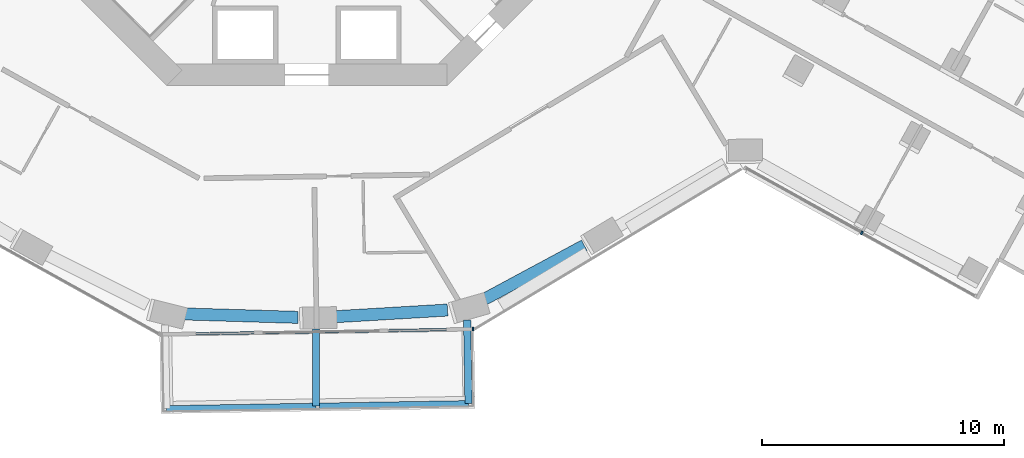
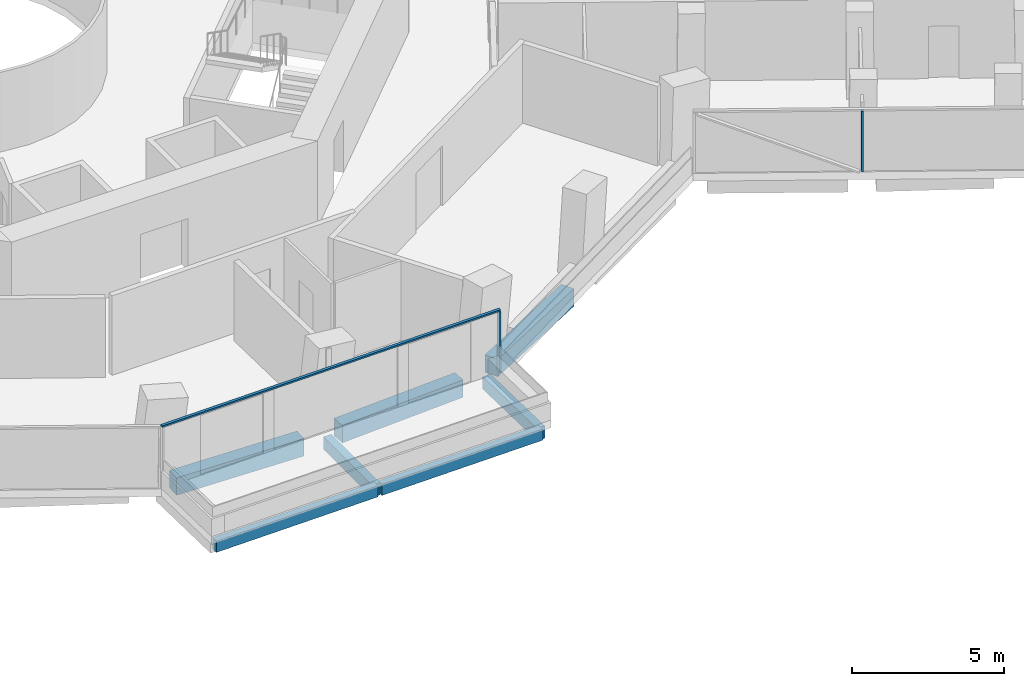
# One storey, part 5 of 25: 7 beams, 3 members, 2 elements without a shape of their own.
"""IFC4 building model written with IfcOpenShell, lengths in metres."""

from ifc_helpers import new_model, si_unit, direction, frame, origin, origin_2d, place, context, subcontext, project, spatial, rectangle, extrude, material, layer, layer_set, material_profile, profile_set, type_object, element, aggregate, save


model = new_model("IFC4")

# Units and contexts
model_context = context("Model", 3, precision=1e-05, world=origin(), true_north=direction((0.0, 1.0)))
body_context = subcontext(model_context, "Body", "Model", "MODEL_VIEW")
ifc_project = project(units=[si_unit("LENGTHUNIT", "METRE"), si_unit("AREAUNIT", "SQUARE_METRE"), si_unit("VOLUMEUNIT", "CUBIC_METRE"), si_unit("PLANEANGLEUNIT", "RADIAN"), si_unit("MASSUNIT", "GRAM", prefix="KILO")], contexts=[model_context])

# Site, building, storey
site_placement = place(None, origin())
site = spatial("IfcSite", under=ifc_project, at=site_placement, CompositionType="ELEMENT")
building_placement = place(site_placement, origin())
building = spatial("IfcBuilding", under=site, at=building_placement, Name="Verdalira Terraces Hotel", CompositionType="ELEMENT")
storey_placement = place(building_placement, frame((0.0, 0.0, 39.0)))
storey = spatial("IfcBuildingStorey", under=building, at=storey_placement, Name="L07", CompositionType="ELEMENT", Elevation=39.0)

# Beams
ifc_material_1 = material(Name="Concrete C40", Category="concrete")
ifc_material_profile_1 = material_profile(ifc_material_1, rectangle(XDim=0.300049, YDim=0.5, at=origin_2d()), Name="RC 300X500")
ifc_profile_set_1 = profile_set([ifc_material_profile_1], Name="Concrete C40")
beam_type_1 = type_object("IfcBeamType", Name="Balcony cantilever beam RC 300X500 C40", PredefinedType="BEAM", material=ifc_profile_set_1)
beam_1_placement = place(storey_placement, frame((0.371094, -24.055176, -0.560059), z_axis=(0.0, -1.0, 0.0), x_axis=(1.0, 0.0, 0.0)))
element("IfcBeam", 1, at=beam_1_placement, inside=storey, type_object=beam_type_1, Name="Balcony cantilever beam R26-2", PredefinedType="BEAM", context=body_context, shape_type="SweptSolid", body=[
    extrude(rectangle(XDim=0.300049, YDim=0.5, at=origin_2d()), origin(), (0.0, 0.0, 1.0), 3.200928),
])
beam_2_placement = place(storey_placement, frame((6.624512, -23.690918, -0.560059), z_axis=(0.016724317, -0.999860139, 0.0), x_axis=(0.999860139, 0.016724317, 0.0)))
element("IfcBeam", 2, at=beam_2_placement, inside=storey, type_object=beam_type_1, Name="Balcony cantilever beam R26-3", PredefinedType="BEAM", context=body_context, shape_type="SweptSolid", body=[
    extrude(rectangle(XDim=0.300049, YDim=0.5, at=origin_2d()), origin(), (0.0, 0.0, 1.0), 3.459717),
])
ifc_material_2 = material(Name="Concrete C40", Category="concrete")
ifc_material_profile_2 = material_profile(ifc_material_2, rectangle(XDim=0.25, YDim=0.449951, at=origin_2d()), Name="RC 250X450")
ifc_profile_set_2 = profile_set([ifc_material_profile_2], Name="Concrete C40")
beam_type_2 = type_object("IfcBeamType", Name="Balcony edge beam RC 250X450 C40", PredefinedType="BEAM", material=ifc_profile_set_2)
beam_3_placement = place(storey_placement, frame((-5.817383, -27.359619, -0.534912), z_axis=(0.99986013, 0.016724818, 0.0), x_axis=(-0.016724818, 0.99986013, 0.0)))
element("IfcBeam", 3, at=beam_3_placement, inside=storey, type_object=beam_type_2, Name="Balcony edge beam R26-1", PredefinedType="BEAM", context=body_context, shape_type="SweptSolid", body=[
    extrude(rectangle(XDim=0.25, YDim=0.449951, at=origin_2d()), origin(), (0.0, 0.0, 1.0), 6.189453),
])
beam_4_placement = place(storey_placement, frame((0.520996, -27.253418, -0.534912), z_axis=(0.999859562, 0.016758751, 0.0), x_axis=(-0.016758751, 0.999859562, 0.0)))
element("IfcBeam", 4, at=beam_4_placement, inside=storey, type_object=beam_type_2, Name="Balcony edge beam R26-2", PredefinedType="BEAM", context=body_context, shape_type="SweptSolid", body=[
    extrude(rectangle(XDim=0.25, YDim=0.449951, at=origin_2d()), origin(), (0.0, 0.0, 1.0), 6.162354),
])

# Curtain wall, members
ifc_material_3 = material(Name="Clear glass", Category="glass")
ifc_layer_1 = layer(ifc_material_3, 0.14990234375)
ifc_layer_set_1 = layer_set([ifc_layer_1], Name="CW1 curtain wall")
curtain_wall_type_1 = type_object("IfcCurtainWallType", Name="CW1 curtain wall", PredefinedType="NOTDEFINED", material=ifc_layer_set_1)
curtain_wall_1_placement = place(storey_placement, origin())
curtain_wall_1 = element("IfcCurtainWall", 5, at=curtain_wall_1_placement, inside=storey, type_object=curtain_wall_type_1, Name="CW1 curtain wall L07 edge 26", PredefinedType="NOTDEFINED")
ifc_material_4 = material(Name="Terracotta frame", Category="masonry")
ifc_material_profile_3 = material_profile(ifc_material_4, rectangle(XDim=0.060059, YDim=0.149902, at=origin_2d()), Name="MU 60x150")
ifc_profile_set_3 = profile_set([ifc_material_profile_3], Name="Terracotta frame")
member_type_1 = type_object("IfcMemberType", Name="CW1 mullion 60x150", PredefinedType="MULLION", material=ifc_profile_set_3)
member_1_placement = place(storey_placement, frame((6.874268, -24.071533, 0.0), z_axis=(0.0, 0.0, 1.0), x_axis=(0.999859636, 0.016754377, 0.0)))
member_1 = element("IfcMember", 6, at=member_1_placement, type_object=member_type_1, Name="CW1 mullion", PredefinedType="MULLION", context=body_context, shape_type="SweptSolid", body=[
    extrude(rectangle(XDim=0.060059, YDim=0.149902, at=origin_2d()), origin(), (0.0, 0.0, 1.0), 2.425049),
])
ifc_material_5 = material(Name="Terracotta frame", Category="masonry")
ifc_material_profile_4 = material_profile(ifc_material_5, rectangle(XDim=0.110107, YDim=0.064941, at=origin_2d()), Name="TR 65x110")
ifc_profile_set_4 = profile_set([ifc_material_profile_4], Name="Terracotta frame")
member_type_2 = type_object("IfcMemberType", Name="CW1 transom 65x110", PredefinedType="USERDEFINED", material=ifc_profile_set_4)
member_2_placement = place(storey_placement, frame((-6.053711, -24.288086, 2.45752), z_axis=(0.999859756, 0.016747218, 0.0), x_axis=(-0.016747218, 0.999859756, 0.0)))
member_2 = element("IfcMember", 7, at=member_2_placement, type_object=member_type_2, Name="CW1 transom", ObjectType="TRANSOM", PredefinedType="USERDEFINED", context=body_context, shape_type="SweptSolid", body=[
    extrude(rectangle(XDim=0.110107, YDim=0.064941, at=origin_2d()), origin(), (0.0, 0.0, 1.0), 12.959717),
])
aggregate(curtain_wall_1, [member_1, member_2])

# Curtain wall, member
ifc_material_6 = material(Name="Clear glass", Category="glass")
ifc_layer_2 = layer(ifc_material_6, 0.14990234375)
ifc_layer_set_2 = layer_set([ifc_layer_2], Name="CW2 curtain wall")
curtain_wall_type_2 = type_object("IfcCurtainWallType", Name="CW2 curtain wall", PredefinedType="NOTDEFINED", material=ifc_layer_set_2)
curtain_wall_2_placement = place(storey_placement, origin())
curtain_wall_2 = element("IfcCurtainWall", 8, at=curtain_wall_2_placement, inside=storey, type_object=curtain_wall_type_2, Name="CW2 curtain wall L07 edge 28", PredefinedType="NOTDEFINED")
ifc_material_7 = material(Name="Terracotta frame", Category="masonry")
ifc_material_profile_5 = material_profile(ifc_material_7, rectangle(XDim=0.070068, YDim=0.149902, at=origin_2d()), Name="MU 70x150")
ifc_profile_set_5 = profile_set([ifc_material_profile_5], Name="Terracotta frame")
member_type_3 = type_object("IfcMemberType", Name="CW2 mullion 70x150", PredefinedType="MULLION", material=ifc_profile_set_5)
member_3_placement = place(storey_placement, frame((22.949463, -20.09082, 0.0), z_axis=(0.0, 0.0, 1.0), x_axis=(0.874281033, -0.485420102, 0.0)))
member_3 = element("IfcMember", 9, at=member_3_placement, type_object=member_type_3, Name="CW2 mullion", PredefinedType="MULLION", context=body_context, shape_type="SweptSolid", body=[
    extrude(rectangle(XDim=0.070068, YDim=0.149902, at=origin_2d()), origin(), (0.0, 0.0, 1.0), 2.425049),
])
aggregate(curtain_wall_2, [member_3])

# Beams
ifc_material_8 = material(Name="Concrete C70", Category="concrete")
ifc_material_profile_6 = material_profile(ifc_material_8, rectangle(XDim=0.5, YDim=0.699951, at=origin_2d()), Name="RC 500X700")
ifc_profile_set_6 = profile_set([ifc_material_profile_6], Name="Concrete C70")
beam_type_3 = type_object("IfcBeamType", Name="Spandrel beam RC 500X700 C70", PredefinedType="SPANDREL", material=ifc_profile_set_6)
beam_5_placement = place(storey_placement, frame((-5.126465, -23.440186, -0.659912), z_axis=(0.999543389, -0.030216129, 0.0), x_axis=(0.030216129, 0.999543389, 0.0)))
element("IfcBeam", 10, at=beam_5_placement, inside=storey, type_object=beam_type_3, Name="Spandrel beam B21", PredefinedType="SPANDREL", context=body_context, shape_type="SweptSolid", body=[
    extrude(rectangle(XDim=0.5, YDim=0.699951, at=origin_2d()), origin(), (0.0, 0.0, 1.0), 4.759033),
])
beam_6_placement = place(storey_placement, frame((1.067383, -23.5625, -0.659912), z_axis=(0.998240395, 0.059296835, 0.0), x_axis=(-0.059296835, 0.998240395, 0.0)))
element("IfcBeam", 11, at=beam_6_placement, inside=storey, type_object=beam_type_3, Name="Spandrel beam B22", PredefinedType="SPANDREL", context=body_context, shape_type="SweptSolid", body=[
    extrude(rectangle(XDim=0.5, YDim=0.699951, at=origin_2d()), origin(), (0.0, 0.0, 1.0), 4.755371),
])
beam_7_placement = place(storey_placement, frame((7.280273, -22.863037, -0.659912), z_axis=(0.880734528, 0.473610273, 0.0), x_axis=(-0.473610273, 0.880734528, 0.0)))
element("IfcBeam", 12, at=beam_7_placement, inside=storey, type_object=beam_type_3, Name="Spandrel beam B23", PredefinedType="SPANDREL", context=body_context, shape_type="SweptSolid", body=[
    extrude(rectangle(XDim=0.5, YDim=0.699951, at=origin_2d()), origin(), (0.0, 0.0, 1.0), 4.759033),
])

save(model, "model.ifc")
